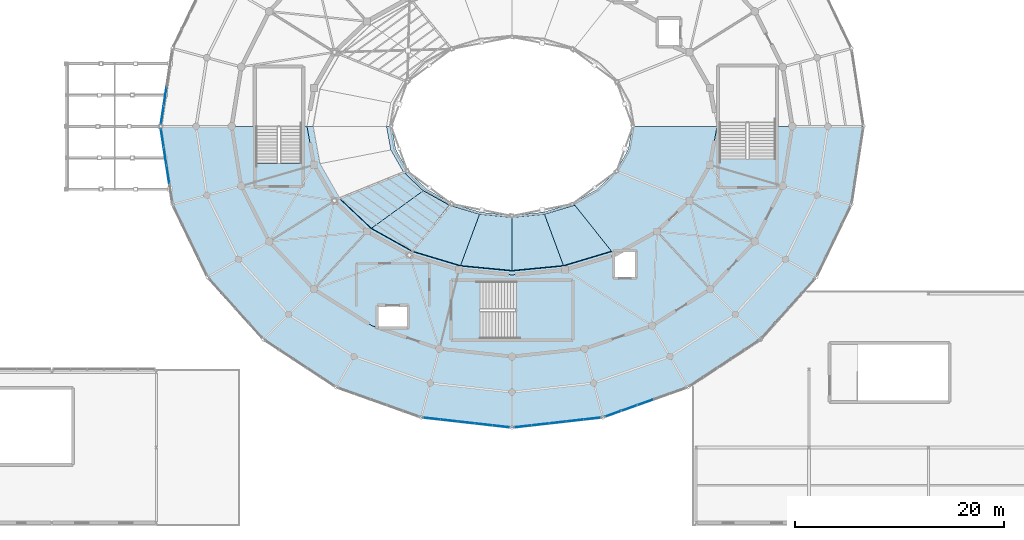
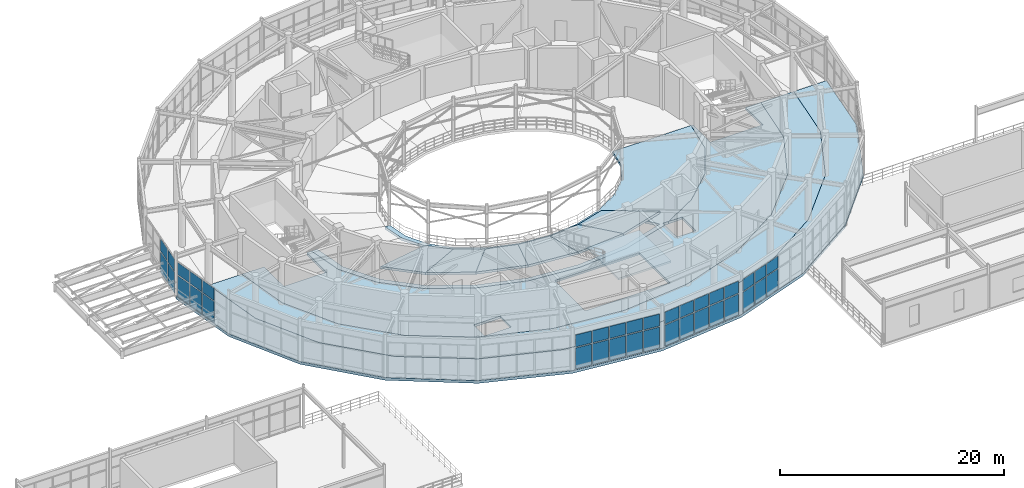
# One storey, part 83 of 144: 36 plates, 11 slabs, 6 elements without a shape of their own.
"""IFC4 building model written with IfcOpenShell, lengths in metres."""

from ifc_helpers import new_model, si_unit, direction, frame, origin, origin_2d, place, context, subcontext, project, spatial, polyline, rectangle, outline, extrude, material, layer, layer_set, type_object, element, aggregate, save


model = new_model("IFC4")

# Units and contexts
model_context = context("Model", 3, precision=1e-05, world=origin(), true_north=direction((0.0, 1.0)))
body_context = subcontext(model_context, "Body", "Model", "MODEL_VIEW")
ifc_project = project(units=[si_unit("LENGTHUNIT", "METRE"), si_unit("AREAUNIT", "SQUARE_METRE"), si_unit("VOLUMEUNIT", "CUBIC_METRE"), si_unit("PLANEANGLEUNIT", "RADIAN"), si_unit("MASSUNIT", "GRAM", prefix="KILO")], contexts=[model_context])

# Site, building, storey
site_placement = place(None, origin())
site = spatial("IfcSite", under=ifc_project, at=site_placement, CompositionType="ELEMENT")
building_placement = place(site_placement, origin())
building = spatial("IfcBuilding", under=site, at=building_placement, Name="Cinderbank Siding Concert Hall", CompositionType="ELEMENT")
storey_placement = place(building_placement, frame((0.0, 0.0, 5.39990234375)))
storey = spatial("IfcBuildingStorey", under=building, at=storey_placement, Name="L02", CompositionType="ELEMENT", Elevation=5.39990234375)

# Curtain wall, plates
ifc_material_1 = material(Name="Anodised aluminium alloy 6063-T6", Category="aluminium")
curtain_wall_type_1 = type_object("IfcCurtainWallType", Name="CW-06 Unitised Acoustic Curtain Wall 7600x3800", PredefinedType="NOTDEFINED", material=ifc_material_1)
curtain_wall_1_placement = place(storey_placement, origin())
curtain_wall_1 = element("IfcCurtainWall", 1, at=curtain_wall_1_placement, inside=storey, type_object=curtain_wall_type_1, Name="L02 Curtain Wall CW-06 #18", PredefinedType="NOTDEFINED")
ifc_material_2 = material(Name="Double-glazed laminated acoustic glass", Category="glass")
ifc_layer_1 = layer(ifc_material_2, 0.035888671875)
ifc_layer_set_1 = layer_set([ifc_layer_1], Name="Double-glazed laminated acoustic glass")
plate_type_1 = type_object("IfcPlateType", Name="CP-03 Glazed Curtain Panel 1600x2100", PredefinedType="CURTAIN_PANEL", material=ifc_layer_set_1)
plate_1_placement = place(storey_placement, frame((114.353759765625, 16.062744140625, 0.1201171875), z_axis=(0.0, 0.0, 1.0), x_axis=(0.993693605349, -0.112129472879, 0.0)))
plate_1 = element("IfcPlate", 2, at=plate_1_placement, type_object=plate_type_1, Name="CW-L02-018 Glazed Panel 0-0", PredefinedType="CURTAIN_PANEL", context=body_context, shape_type="SweptSolid", body=[
    extrude(rectangle(XDim=1.5595703125, YDim=0.035888671875, at=origin_2d()), origin(), (0.0, 0.0, 1.0), 2.26708984375),
])
plate_2_placement = place(storey_placement, frame((114.353759765625, 16.062744140625, 2.50732421875), z_axis=(0.0, 0.0, 1.0), x_axis=(0.993693605349, -0.112129472879, 0.0)))
plate_2 = element("IfcPlate", 3, at=plate_2_placement, type_object=plate_type_1, Name="CW-L02-018 Glazed Panel 0-1", PredefinedType="CURTAIN_PANEL", context=body_context, shape_type="SweptSolid", body=[
    extrude(rectangle(XDim=1.5595703125, YDim=0.035888671875, at=origin_2d()), origin(), (0.0, 0.0, 1.0), 1.31982421875),
])
plate_3_placement = place(storey_placement, frame((116.002685546875, 15.876708984375, 0.1201171875), z_axis=(0.0, 0.0, 1.0), x_axis=(0.993693605349, -0.112129472879, 0.0)))
plate_3 = element("IfcPlate", 4, at=plate_3_placement, type_object=plate_type_1, Name="CW-L02-018 Glazed Panel 1-0", PredefinedType="CURTAIN_PANEL", context=body_context, shape_type="SweptSolid", body=[
    extrude(rectangle(XDim=1.5595703125, YDim=0.035888671875, at=origin_2d()), origin(), (0.0, 0.0, 1.0), 2.26708984375),
])
plate_4_placement = place(storey_placement, frame((116.002685546875, 15.876708984375, 2.50732421875), z_axis=(0.0, 0.0, 1.0), x_axis=(0.993693605349, -0.112129472879, 0.0)))
plate_4 = element("IfcPlate", 5, at=plate_4_placement, type_object=plate_type_1, Name="CW-L02-018 Glazed Panel 1-1", PredefinedType="CURTAIN_PANEL", context=body_context, shape_type="SweptSolid", body=[
    extrude(rectangle(XDim=1.5595703125, YDim=0.035888671875, at=origin_2d()), origin(), (0.0, 0.0, 1.0), 1.31982421875),
])
plate_5_placement = place(storey_placement, frame((117.65185546875, 15.690673828125, 0.1201171875), z_axis=(0.0, 0.0, 1.0), x_axis=(0.993693605349, -0.112129472879, 0.0)))
plate_5 = element("IfcPlate", 6, at=plate_5_placement, type_object=plate_type_1, Name="CW-L02-018 Glazed Panel 2-0", PredefinedType="CURTAIN_PANEL", context=body_context, shape_type="SweptSolid", body=[
    extrude(rectangle(XDim=1.5595703125, YDim=0.035888671875, at=origin_2d()), origin(), (0.0, 0.0, 1.0), 2.26708984375),
])
plate_6_placement = place(storey_placement, frame((117.65185546875, 15.690673828125, 2.50732421875), z_axis=(0.0, 0.0, 1.0), x_axis=(0.993693605349, -0.112129472879, 0.0)))
plate_6 = element("IfcPlate", 7, at=plate_6_placement, type_object=plate_type_1, Name="CW-L02-018 Glazed Panel 2-1", PredefinedType="CURTAIN_PANEL", context=body_context, shape_type="SweptSolid", body=[
    extrude(rectangle(XDim=1.5595703125, YDim=0.035888671875, at=origin_2d()), origin(), (0.0, 0.0, 1.0), 1.31982421875),
])
plate_7_placement = place(storey_placement, frame((119.30078125, 15.504638671875, 0.1201171875), z_axis=(0.0, 0.0, 1.0), x_axis=(0.993693605349, -0.112129472879, 0.0)))
plate_7 = element("IfcPlate", 8, at=plate_7_placement, type_object=plate_type_1, Name="CW-L02-018 Glazed Panel 3-0", PredefinedType="CURTAIN_PANEL", context=body_context, shape_type="SweptSolid", body=[
    extrude(rectangle(XDim=1.5595703125, YDim=0.035888671875, at=origin_2d()), origin(), (0.0, 0.0, 1.0), 2.26708984375),
])
plate_8_placement = place(storey_placement, frame((119.30078125, 15.504638671875, 2.50732421875), z_axis=(0.0, 0.0, 1.0), x_axis=(0.993693605349, -0.112129472879, 0.0)))
plate_8 = element("IfcPlate", 9, at=plate_8_placement, type_object=plate_type_1, Name="CW-L02-018 Glazed Panel 3-1", PredefinedType="CURTAIN_PANEL", context=body_context, shape_type="SweptSolid", body=[
    extrude(rectangle(XDim=1.5595703125, YDim=0.035888671875, at=origin_2d()), origin(), (0.0, 0.0, 1.0), 1.31982421875),
])
plate_9_placement = place(storey_placement, frame((120.949951171875, 15.318603515625, 0.1201171875), z_axis=(0.0, 0.0, 1.0), x_axis=(0.993693605349, -0.112129472879, 0.0)))
plate_9 = element("IfcPlate", 10, at=plate_9_placement, type_object=plate_type_1, Name="CW-L02-018 Glazed Panel 4-0", PredefinedType="CURTAIN_PANEL", context=body_context, shape_type="SweptSolid", body=[
    extrude(rectangle(XDim=1.5595703125, YDim=0.035888671875, at=origin_2d()), origin(), (0.0, 0.0, 1.0), 2.26708984375),
])
plate_10_placement = place(storey_placement, frame((120.949951171875, 15.318603515625, 2.50732421875), z_axis=(0.0, 0.0, 1.0), x_axis=(0.993693605349, -0.112129472879, 0.0)))
plate_10 = element("IfcPlate", 11, at=plate_10_placement, type_object=plate_type_1, Name="CW-L02-018 Glazed Panel 4-1", PredefinedType="CURTAIN_PANEL", context=body_context, shape_type="SweptSolid", body=[
    extrude(rectangle(XDim=1.5595703125, YDim=0.035888671875, at=origin_2d()), origin(), (0.0, 0.0, 1.0), 1.31982421875),
])
aggregate(curtain_wall_1, [plate_1, plate_2, plate_3, plate_4, plate_5, plate_6, plate_7, plate_8, plate_9, plate_10])

curtain_wall_type_2 = type_object("IfcCurtainWallType", Name="CW-07 Unitised Acoustic Curtain Wall 7000x3800", PredefinedType="NOTDEFINED", material=ifc_material_1)
curtain_wall_2_placement = place(storey_placement, origin())
curtain_wall_2 = element("IfcCurtainWall", 12, at=curtain_wall_2_placement, inside=storey, type_object=curtain_wall_type_2, Name="L02 Curtain Wall CW-07 #19", PredefinedType="NOTDEFINED")
ifc_layer_2 = layer(ifc_material_2, 0.031982421875)
ifc_layer_set_2 = layer_set([ifc_layer_2], Name="Double-glazed laminated acoustic glass")
plate_type_2 = type_object("IfcPlateType", Name="CP-04 Glazed Curtain Panel 1400x2000", PredefinedType="CURTAIN_PANEL", material=ifc_layer_set_2)
plate_11_placement = place(storey_placement, frame((123.050048828125, 15.318603515625, 0.1201171875), z_axis=(0.0, 0.0, 1.0), x_axis=(0.993693605349, 0.112129472879, 0.0)))
plate_11 = element("IfcPlate", 13, at=plate_11_placement, type_object=plate_type_2, Name="CW-L02-019 Glazed Panel 0-0", PredefinedType="CURTAIN_PANEL", context=body_context, shape_type="SweptSolid", body=[
    extrude(rectangle(XDim=1.5595703125, YDim=0.035888671875, at=origin_2d()), origin(), (0.0, 0.0, 1.0), 2.26708984375),
])
plate_12_placement = place(storey_placement, frame((123.050048828125, 15.318603515625, 2.50732421875), z_axis=(0.0, 0.0, 1.0), x_axis=(0.993693605349, 0.112129472879, 0.0)))
plate_12 = element("IfcPlate", 14, at=plate_12_placement, type_object=plate_type_2, Name="CW-L02-019 Glazed Panel 0-1", PredefinedType="CURTAIN_PANEL", context=body_context, shape_type="SweptSolid", body=[
    extrude(rectangle(XDim=1.5595703125, YDim=0.035888671875, at=origin_2d()), origin(), (0.0, 0.0, 1.0), 1.31982421875),
])
plate_13_placement = place(storey_placement, frame((124.69921875, 15.504638671875, 0.1201171875), z_axis=(0.0, 0.0, 1.0), x_axis=(0.993693605349, 0.112129472879, 0.0)))
plate_13 = element("IfcPlate", 15, at=plate_13_placement, type_object=plate_type_2, Name="CW-L02-019 Glazed Panel 1-0", PredefinedType="CURTAIN_PANEL", context=body_context, shape_type="SweptSolid", body=[
    extrude(rectangle(XDim=1.5595703125, YDim=0.035888671875, at=origin_2d()), origin(), (0.0, 0.0, 1.0), 2.26708984375),
])
plate_14_placement = place(storey_placement, frame((124.69921875, 15.504638671875, 2.50732421875), z_axis=(0.0, 0.0, 1.0), x_axis=(0.993693605349, 0.112129472879, 0.0)))
plate_14 = element("IfcPlate", 16, at=plate_14_placement, type_object=plate_type_2, Name="CW-L02-019 Glazed Panel 1-1", PredefinedType="CURTAIN_PANEL", context=body_context, shape_type="SweptSolid", body=[
    extrude(rectangle(XDim=1.5595703125, YDim=0.035888671875, at=origin_2d()), origin(), (0.0, 0.0, 1.0), 1.31982421875),
])
plate_15_placement = place(storey_placement, frame((126.34814453125, 15.690673828125, 0.1201171875), z_axis=(0.0, 0.0, 1.0), x_axis=(0.993693605349, 0.112129472879, 0.0)))
plate_15 = element("IfcPlate", 17, at=plate_15_placement, type_object=plate_type_2, Name="CW-L02-019 Glazed Panel 2-0", PredefinedType="CURTAIN_PANEL", context=body_context, shape_type="SweptSolid", body=[
    extrude(rectangle(XDim=1.5595703125, YDim=0.035888671875, at=origin_2d()), origin(), (0.0, 0.0, 1.0), 2.26708984375),
])
plate_16_placement = place(storey_placement, frame((126.34814453125, 15.690673828125, 2.50732421875), z_axis=(0.0, 0.0, 1.0), x_axis=(0.993693605349, 0.112129472879, 0.0)))
plate_16 = element("IfcPlate", 18, at=plate_16_placement, type_object=plate_type_2, Name="CW-L02-019 Glazed Panel 2-1", PredefinedType="CURTAIN_PANEL", context=body_context, shape_type="SweptSolid", body=[
    extrude(rectangle(XDim=1.5595703125, YDim=0.035888671875, at=origin_2d()), origin(), (0.0, 0.0, 1.0), 1.31982421875),
])
plate_17_placement = place(storey_placement, frame((127.997314453125, 15.876708984375, 0.1201171875), z_axis=(0.0, 0.0, 1.0), x_axis=(0.993693605349, 0.112129472879, 0.0)))
plate_17 = element("IfcPlate", 19, at=plate_17_placement, type_object=plate_type_2, Name="CW-L02-019 Glazed Panel 3-0", PredefinedType="CURTAIN_PANEL", context=body_context, shape_type="SweptSolid", body=[
    extrude(rectangle(XDim=1.5595703125, YDim=0.035888671875, at=origin_2d()), origin(), (0.0, 0.0, 1.0), 2.26708984375),
])
plate_18_placement = place(storey_placement, frame((127.997314453125, 15.876708984375, 2.50732421875), z_axis=(0.0, 0.0, 1.0), x_axis=(0.993693605349, 0.112129472879, 0.0)))
plate_18 = element("IfcPlate", 20, at=plate_18_placement, type_object=plate_type_2, Name="CW-L02-019 Glazed Panel 3-1", PredefinedType="CURTAIN_PANEL", context=body_context, shape_type="SweptSolid", body=[
    extrude(rectangle(XDim=1.5595703125, YDim=0.035888671875, at=origin_2d()), origin(), (0.0, 0.0, 1.0), 1.31982421875),
])
plate_19_placement = place(storey_placement, frame((129.646240234375, 16.062744140625, 0.1201171875), z_axis=(0.0, 0.0, 1.0), x_axis=(0.993693605349, 0.112129472879, 0.0)))
plate_19 = element("IfcPlate", 21, at=plate_19_placement, type_object=plate_type_2, Name="CW-L02-019 Glazed Panel 4-0", PredefinedType="CURTAIN_PANEL", context=body_context, shape_type="SweptSolid", body=[
    extrude(rectangle(XDim=1.5595703125, YDim=0.035888671875, at=origin_2d()), origin(), (0.0, 0.0, 1.0), 2.26708984375),
])
plate_20_placement = place(storey_placement, frame((129.646240234375, 16.062744140625, 2.50732421875), z_axis=(0.0, 0.0, 1.0), x_axis=(0.993693605349, 0.112129472879, 0.0)))
plate_20 = element("IfcPlate", 22, at=plate_20_placement, type_object=plate_type_2, Name="CW-L02-019 Glazed Panel 4-1", PredefinedType="CURTAIN_PANEL", context=body_context, shape_type="SweptSolid", body=[
    extrude(rectangle(XDim=1.5595703125, YDim=0.035888671875, at=origin_2d()), origin(), (0.0, 0.0, 1.0), 1.31982421875),
])
aggregate(curtain_wall_2, [plate_11, plate_12, plate_13, plate_14, plate_15, plate_16, plate_17, plate_18, plate_19, plate_20])

curtain_wall_type_3 = type_object("IfcCurtainWallType", Name="CW-12 Unitised Acoustic Curtain Wall 5800x3500", PredefinedType="NOTDEFINED", material=ifc_material_1)
curtain_wall_3_placement = place(storey_placement, origin())
curtain_wall_3 = element("IfcCurtainWall", 23, at=curtain_wall_3_placement, inside=storey, type_object=curtain_wall_type_3, Name="L02 Curtain Wall CW-12 #12", PredefinedType="NOTDEFINED")
ifc_layer_3 = layer(ifc_material_2, 0.031982421875)
ifc_layer_set_3 = layer_set([ifc_layer_3], Name="Double-glazed laminated acoustic glass")
plate_type_3 = type_object("IfcPlateType", Name="CP-05 Glazed Curtain Panel 1200x1800", PredefinedType="CURTAIN_PANEL", material=ifc_layer_set_3)
plate_21_placement = place(storey_placement, frame((88.837890625, 46.851318359375, 0.1201171875), z_axis=(0.0, 0.0, 1.0), x_axis=(-0.151815048473, -0.988408918949, 0.0)))
plate_21 = element("IfcPlate", 24, at=plate_21_placement, type_object=plate_type_3, Name="CW-L02-012 Glazed Panel 2-0", PredefinedType="CURTAIN_PANEL", context=body_context, shape_type="SweptSolid", body=[
    extrude(rectangle(XDim=1.671875, YDim=0.035888671875, at=origin_2d()), origin(), (0.0, 0.0, 1.0), 2.26708984375),
])
plate_22_placement = place(storey_placement, frame((88.837890625, 46.851318359375, 2.50732421875), z_axis=(0.0, 0.0, 1.0), x_axis=(-0.151815048473, -0.988408918949, 0.0)))
plate_22 = element("IfcPlate", 25, at=plate_22_placement, type_object=plate_type_3, Name="CW-L02-012 Glazed Panel 2-1", PredefinedType="CURTAIN_PANEL", context=body_context, shape_type="SweptSolid", body=[
    extrude(rectangle(XDim=1.671875, YDim=0.035888671875, at=origin_2d()), origin(), (0.0, 0.0, 1.0), 1.31982421875),
])
plate_23_placement = place(storey_placement, frame((88.569091796875, 45.10009765625, 0.1201171875), z_axis=(0.0, 0.0, 1.0), x_axis=(-0.151815048473, -0.988408918949, 0.0)))
plate_23 = element("IfcPlate", 26, at=plate_23_placement, type_object=plate_type_3, Name="CW-L02-012 Glazed Panel 3-0", PredefinedType="CURTAIN_PANEL", context=body_context, shape_type="SweptSolid", body=[
    extrude(rectangle(XDim=1.671875, YDim=0.035888671875, at=origin_2d()), origin(), (0.0, 0.0, 1.0), 2.26708984375),
])
plate_24_placement = place(storey_placement, frame((88.569091796875, 45.10009765625, 2.50732421875), z_axis=(0.0, 0.0, 1.0), x_axis=(-0.151815048473, -0.988408918949, 0.0)))
plate_24 = element("IfcPlate", 27, at=plate_24_placement, type_object=plate_type_3, Name="CW-L02-012 Glazed Panel 3-1", PredefinedType="CURTAIN_PANEL", context=body_context, shape_type="SweptSolid", body=[
    extrude(rectangle(XDim=1.671875, YDim=0.035888671875, at=origin_2d()), origin(), (0.0, 0.0, 1.0), 1.31982421875),
])
aggregate(curtain_wall_3, [plate_21, plate_22, plate_23, plate_24])

curtain_wall_type_4 = type_object("IfcCurtainWallType", Name="CW-08 Unitised Acoustic Curtain Wall 6400x3800", PredefinedType="NOTDEFINED", material=ifc_material_1)
curtain_wall_4_placement = place(storey_placement, origin())
curtain_wall_4 = element("IfcCurtainWall", 28, at=curtain_wall_4_placement, inside=storey, type_object=curtain_wall_type_4, Name="L02 Curtain Wall CW-08 #20", PredefinedType="NOTDEFINED")
plate_25_placement = place(storey_placement, frame((131.677734375, 16.52978515625, 0.1201171875), z_axis=(0.0, 0.0, 1.0), x_axis=(0.942365662238, 0.334584755532, 0.0)))
plate_25 = element("IfcPlate", 29, at=plate_25_placement, type_object=plate_type_3, Name="CW-L02-020 Glazed Panel 0-0", PredefinedType="CURTAIN_PANEL", context=body_context, shape_type="SweptSolid", body=[
    extrude(rectangle(XDim=1.529052734375, YDim=0.035888671875, at=origin_2d()), origin(), (0.0, 0.0, 1.0), 2.198974609375),
])
plate_26_placement = place(storey_placement, frame((131.677734375, 16.52978515625, 2.43896484375), z_axis=(0.0, 0.0, 1.0), x_axis=(0.942365662238, 0.334584755532, 0.0)))
plate_26 = element("IfcPlate", 30, at=plate_26_placement, type_object=plate_type_3, Name="CW-L02-020 Glazed Panel 0-1", PredefinedType="CURTAIN_PANEL", context=body_context, shape_type="SweptSolid", body=[
    extrude(rectangle(XDim=1.529052734375, YDim=0.035888671875, at=origin_2d()), origin(), (0.0, 0.0, 1.0), 1.278076171875),
])
plate_27_placement = place(storey_placement, frame((133.212890625, 17.07470703125, 0.1201171875), z_axis=(0.0, 0.0, 1.0), x_axis=(0.942365662238, 0.334584755532, 0.0)))
plate_27 = element("IfcPlate", 31, at=plate_27_placement, type_object=plate_type_3, Name="CW-L02-020 Glazed Panel 1-0", PredefinedType="CURTAIN_PANEL", context=body_context, shape_type="SweptSolid", body=[
    extrude(rectangle(XDim=1.529052734375, YDim=0.035888671875, at=origin_2d()), origin(), (0.0, 0.0, 1.0), 2.198974609375),
])
plate_28_placement = place(storey_placement, frame((133.212890625, 17.07470703125, 2.43896484375), z_axis=(0.0, 0.0, 1.0), x_axis=(0.942365662238, 0.334584755532, 0.0)))
plate_28 = element("IfcPlate", 32, at=plate_28_placement, type_object=plate_type_3, Name="CW-L02-020 Glazed Panel 1-1", PredefinedType="CURTAIN_PANEL", context=body_context, shape_type="SweptSolid", body=[
    extrude(rectangle(XDim=1.529052734375, YDim=0.035888671875, at=origin_2d()), origin(), (0.0, 0.0, 1.0), 1.278076171875),
])
plate_29_placement = place(storey_placement, frame((134.748291015625, 17.619873046875, 0.1201171875), z_axis=(0.0, 0.0, 1.0), x_axis=(0.942365662238, 0.334584755532, 0.0)))
plate_29 = element("IfcPlate", 33, at=plate_29_placement, type_object=plate_type_3, Name="CW-L02-020 Glazed Panel 2-0", PredefinedType="CURTAIN_PANEL", context=body_context, shape_type="SweptSolid", body=[
    extrude(rectangle(XDim=1.529052734375, YDim=0.035888671875, at=origin_2d()), origin(), (0.0, 0.0, 1.0), 2.198974609375),
])
plate_30_placement = place(storey_placement, frame((134.748291015625, 17.619873046875, 2.43896484375), z_axis=(0.0, 0.0, 1.0), x_axis=(0.942365662238, 0.334584755532, 0.0)))
plate_30 = element("IfcPlate", 34, at=plate_30_placement, type_object=plate_type_3, Name="CW-L02-020 Glazed Panel 2-1", PredefinedType="CURTAIN_PANEL", context=body_context, shape_type="SweptSolid", body=[
    extrude(rectangle(XDim=1.529052734375, YDim=0.035888671875, at=origin_2d()), origin(), (0.0, 0.0, 1.0), 1.278076171875),
])
aggregate(curtain_wall_4, [plate_25, plate_26, plate_27, plate_28, plate_29, plate_30])

curtain_wall_type_5 = type_object("IfcCurtainWallType", Name="CW-01 Unitised Acoustic Curtain Wall 8200x4400", PredefinedType="NOTDEFINED", material=ifc_material_1)
curtain_wall_5_placement = place(storey_placement, origin())
curtain_wall_5 = element("IfcCurtainWall", 35, at=curtain_wall_5_placement, inside=storey, type_object=curtain_wall_type_5, Name="L02 Curtain Wall CW-01 #13", PredefinedType="NOTDEFINED")
ifc_layer_4 = layer(ifc_material_2, 0.0380859375)
ifc_layer_set_4 = layer_set([ifc_layer_4], Name="Double-glazed laminated acoustic glass")
plate_type_4 = type_object("IfcPlateType", Name="CP-06 Glazed Curtain Panel 2100x1600", PredefinedType="CURTAIN_PANEL", material=ifc_layer_set_4)
plate_31_placement = place(storey_placement, frame((88.569091796875, 42.89990234375, 0.1201171875), z_axis=(0.0, 0.0, 1.0), x_axis=(0.151815048473, -0.988408918949, 0.0)))
plate_31 = element("IfcPlate", 36, at=plate_31_placement, type_object=plate_type_4, Name="CW-L02-013 Glazed Panel 0-0", PredefinedType="CURTAIN_PANEL", context=body_context, shape_type="SweptSolid", body=[
    extrude(rectangle(XDim=1.671875, YDim=0.035888671875, at=origin_2d()), origin(), (0.0, 0.0, 1.0), 2.26708984375),
])
plate_32_placement = place(storey_placement, frame((88.569091796875, 42.89990234375, 2.50732421875), z_axis=(0.0, 0.0, 1.0), x_axis=(0.151815048473, -0.988408918949, 0.0)))
plate_32 = element("IfcPlate", 37, at=plate_32_placement, type_object=plate_type_4, Name="CW-L02-013 Glazed Panel 0-1", PredefinedType="CURTAIN_PANEL", context=body_context, shape_type="SweptSolid", body=[
    extrude(rectangle(XDim=1.671875, YDim=0.035888671875, at=origin_2d()), origin(), (0.0, 0.0, 1.0), 1.31982421875),
])
plate_33_placement = place(storey_placement, frame((88.837890625, 41.148681640625, 0.1201171875), z_axis=(0.0, 0.0, 1.0), x_axis=(0.151815048473, -0.988408918949, 0.0)))
plate_33 = element("IfcPlate", 38, at=plate_33_placement, type_object=plate_type_4, Name="CW-L02-013 Glazed Panel 1-0", PredefinedType="CURTAIN_PANEL", context=body_context, shape_type="SweptSolid", body=[
    extrude(rectangle(XDim=1.671875, YDim=0.035888671875, at=origin_2d()), origin(), (0.0, 0.0, 1.0), 2.26708984375),
])
plate_34_placement = place(storey_placement, frame((88.837890625, 41.148681640625, 2.50732421875), z_axis=(0.0, 0.0, 1.0), x_axis=(0.151815048473, -0.988408918949, 0.0)))
plate_34 = element("IfcPlate", 39, at=plate_34_placement, type_object=plate_type_4, Name="CW-L02-013 Glazed Panel 1-1", PredefinedType="CURTAIN_PANEL", context=body_context, shape_type="SweptSolid", body=[
    extrude(rectangle(XDim=1.671875, YDim=0.035888671875, at=origin_2d()), origin(), (0.0, 0.0, 1.0), 1.31982421875),
])
plate_35_placement = place(storey_placement, frame((89.10693359375, 39.397216796875, 0.1201171875), z_axis=(0.0, 0.0, 1.0), x_axis=(0.151815048473, -0.988408918949, 0.0)))
plate_35 = element("IfcPlate", 40, at=plate_35_placement, type_object=plate_type_4, Name="CW-L02-013 Glazed Panel 2-0", PredefinedType="CURTAIN_PANEL", context=body_context, shape_type="SweptSolid", body=[
    extrude(rectangle(XDim=1.671875, YDim=0.035888671875, at=origin_2d()), origin(), (0.0, 0.0, 1.0), 2.26708984375),
])
plate_36_placement = place(storey_placement, frame((89.10693359375, 39.397216796875, 2.50732421875), z_axis=(0.0, 0.0, 1.0), x_axis=(0.151815048473, -0.988408918949, 0.0)))
plate_36 = element("IfcPlate", 41, at=plate_36_placement, type_object=plate_type_4, Name="CW-L02-013 Glazed Panel 2-1", PredefinedType="CURTAIN_PANEL", context=body_context, shape_type="SweptSolid", body=[
    extrude(rectangle(XDim=1.671875, YDim=0.035888671875, at=origin_2d()), origin(), (0.0, 0.0, 1.0), 1.31982421875),
])
aggregate(curtain_wall_5, [plate_31, plate_32, plate_33, plate_34, plate_35, plate_36])

# Stair, slab
ifc_material_3 = material(Name="Reinforced concrete AS 3600 N50 (50 MPa)", Category="concrete")
stair_type = type_object("IfcStairType", Name="STR-A Dogleg Exit Stair 2650mm", PredefinedType="HALF_TURN_STAIR", material=ifc_material_3)
stair_placement = place(storey_placement, origin())
stair = element("IfcStair", 42, at=stair_placement, inside=storey, type_object=stair_type, Name="L02 Fire-isolated Exit Stair ST-02", PredefinedType="HALF_TURN_STAIR")
ifc_layer_5 = layer(ifc_material_3, 0.199951171875)
ifc_layer_set_5 = layer_set([ifc_layer_5], Name="Reinforced concrete AS 3600 N50 (50 MPa)")
slab_type_1 = type_object("IfcSlabType", Name="LD-02 Slab 200mm", PredefinedType="LANDING", material=ifc_layer_set_5)
slab_1_placement = place(storey_placement, frame((0.0, 0.0, 2.2001953125)))
slab_1 = element("IfcSlab", 43, at=slab_1_placement, type_object=slab_type_1, Name="ST-02 landing 1", PredefinedType="LANDING", context=body_context, shape_type="SweptSolid", body=[
    extrude(outline(polyline([(122.35009765625, 23.6201171875), (122.35009765625, 29.239990234375), (127.780029296875, 29.239990234375), (127.780029296875, 23.6201171875), (122.35009765625, 23.6201171875)])), origin(), (0.0, 0.0, 1.0), 0.199951171875),
])
aggregate(stair, [slab_1])

# Slabs
ifc_layer_6 = layer(ifc_material_3, 0.280029296875)
ifc_layer_set_6 = layer_set([ifc_layer_6], Name="Reinforced concrete AS 3600 N50 (50 MPa)")
slab_type_2 = type_object("IfcSlabType", Name="SL-02 Slab 280mm", PredefinedType="FLOOR", material=ifc_layer_set_6)
slab_2_placement = place(storey_placement, frame((0.0, 0.0, -0.27978515625)))
element("IfcSlab", 44, at=slab_2_placement, inside=storey, type_object=slab_type_2, Name="L02 Dress Circle Structural Ring South", PredefinedType="FLOOR", context=body_context, shape_type="SweptSolid", body=[
    extrude(outline(polyline([(132.389404296875, 32.030029296875), (131.820068359375, 32.030029296875), (131.800048828125, 31.702392578125), (127.072998046875, 30.283935546875), (122.0, 29.800048828125), (116.927001953125, 30.283935546875), (112.199951171875, 31.702392578125), (108.140625, 33.958984375), (105.02587890625, 36.89990234375), (103.06787109375, 40.32470703125), (102.401123046875, 43.993896484375), (102.9990234375, 43.993896484375), (103.644287109375, 40.438720703125), (105.5419921875, 37.117919921875), (108.561279296875, 34.266357421875), (112.50048828125, 32.076416015625), (117.07958984375, 30.701904296875), (121.998046875, 30.232421875), (126.92041015625, 30.701904296875), (131.50341796875, 32.077880859375), (128.000732421875, 36.47314453125), (125.10546875, 35.6044921875), (122.0, 35.30810546875), (118.89453125, 35.6044921875), (116.000732421875, 36.472900390625), (113.515869140625, 37.85400390625), (111.609375, 39.654296875), (110.410888671875, 41.75048828125), (110.003173828125, 43.993896484375), (110.501220703125, 43.993896484375), (110.891845703125, 41.800048828125), (112.040771484375, 39.75), (113.868408203125, 37.989501953125), (116.25, 36.638916015625), (119.023681640625, 35.78955078125), (122.0, 35.5), (124.976318359375, 35.78955078125), (127.75, 36.638916015625), (130.131591796875, 37.989501953125), (131.959228515625, 39.75), (133.108154296875, 41.800048828125), (133.498779296875, 43.993896484375), (141.598876953125, 43.993896484375), (140.93212890625, 40.32470703125), (138.97412109375, 36.89990234375), (135.859375, 33.958984375), (132.389404296875, 32.030029296875)])), origin(), (0.0, 0.0, 1.0), 0.27978515625),
])
slab_3_placement = place(storey_placement, frame((0.0, 0.0, -0.27978515625)))
element("IfcSlab", 45, at=slab_3_placement, inside=storey, type_object=slab_type_2, Name="L02 Dress Circle Inner Foyer South", PredefinedType="FLOOR", context=body_context, shape_type="SweptSolid", body=[
    extrude(outline(polyline([(148.154052734375, 31.300048828125), (143.3544921875, 26.03955078125), (137.10009765625, 22.0029296875), (129.81640625, 19.465576171875), (122.0, 18.60009765625), (114.18359375, 19.465576171875), (106.89990234375, 22.0029296875), (100.6455078125, 26.03955078125), (95.845947265625, 31.300048828125), (92.8291015625, 37.426025390625), (91.80078125, 43.993896484375), (95.200927734375, 43.993896484375), (96.11328125, 38.305908203125), (98.79052734375, 33.0), (103.049560546875, 28.443603515625), (108.60009765625, 24.947509765625), (115.063720703125, 22.74951171875), (122.0, 22.0), (128.936279296875, 22.74951171875), (135.39990234375, 24.947509765625), (140.950439453125, 28.443603515625), (145.20947265625, 33.0), (147.88671875, 38.305908203125), (148.799072265625, 43.993896484375), (152.19921875, 43.993896484375), (151.1708984375, 37.426025390625), (148.154052734375, 31.300048828125)])), origin(), (0.0, 0.0, 1.0), 0.27978515625),
])
ifc_layer_7 = layer(ifc_material_3, 0.260009765625)
ifc_layer_set_7 = layer_set([ifc_layer_7], Name="Reinforced concrete AS 3600 N50 (50 MPa)")
slab_type_3 = type_object("IfcSlabType", Name="SL-03 Slab 260mm", PredefinedType="FLOOR", material=ifc_layer_set_7)
slab_4_placement = place(storey_placement, frame((0.0, 0.0, -0.260009765625)))
element("IfcSlab", 46, at=slab_4_placement, inside=storey, type_object=slab_type_3, Name="L02 Acoustic Lock Ring South", PredefinedType="FLOOR", context=body_context, shape_type="SweptSolid", body=[
    extrude(outline(polyline([(122.0, 22.0), (115.063720703125, 22.74951171875), (108.60009765625, 24.947509765625), (103.049560546875, 28.443603515625), (98.79052734375, 33.0), (96.11328125, 38.305908203125), (95.200927734375, 43.993896484375), (97.52001953125, 43.993896484375), (97.52001953125, 40.47998046875), (101.919921875, 40.47998046875), (101.919921875, 43.993896484375), (102.401123046875, 43.993896484375), (103.06787109375, 40.32470703125), (105.02587890625, 36.89990234375), (108.140625, 33.958984375), (112.199951171875, 31.702392578125), (116.927001953125, 30.283935546875), (122.0, 29.800048828125), (127.072998046875, 30.283935546875), (131.820068359375, 31.71337890625), (131.820068359375, 29.570068359375), (133.780029296875, 29.570068359375), (133.780029296875, 32.030029296875), (132.389404296875, 32.030029296875), (135.859375, 33.958984375), (138.97412109375, 36.89990234375), (140.93212890625, 40.32470703125), (141.598876953125, 43.993896484375), (141.820068359375, 43.993896484375), (141.820068359375, 40.8798828125), (147.219970703125, 40.8798828125), (147.219970703125, 43.993896484375), (148.799072265625, 43.993896484375), (147.88671875, 38.305908203125), (145.20947265625, 33.0), (140.950439453125, 28.443603515625), (135.39990234375, 24.947509765625), (128.936279296875, 22.74951171875), (122.0, 22.0)]), holes=[polyline([(118.949951171875, 23.699951171875), (127.699951171875, 23.699951171875), (127.699951171875, 29.159912109375), (118.949951171875, 29.159912109375), (118.949951171875, 23.699951171875)]), polyline([(111.97998046875, 24.820068359375), (111.97998046875, 26.780029296875), (109.219970703125, 26.780029296875), (109.219970703125, 24.820068359375), (111.97998046875, 24.820068359375)])]), origin(), (0.0, 0.0, 1.0), 0.260009765625),
])
ifc_layer_8 = layer(ifc_material_3, 0.300048828125)
ifc_layer_set_8 = layer_set([ifc_layer_8], Name="Reinforced concrete AS 3600 N50 (50 MPa)")
slab_type_4 = type_object("IfcSlabType", Name="SL-05 Slab 300mm", PredefinedType="FLOOR", material=ifc_layer_set_8)
slab_5_placement = place(storey_placement, frame((0.0, 0.0, -0.2998046875)))
element("IfcSlab", 47, at=slab_5_placement, inside=storey, type_object=slab_type_4, Name="L02 Dress Circle Outer Foyer South", PredefinedType="FLOOR", context=body_context, shape_type="SweptSolid", body=[
    extrude(outline(polyline([(151.098388671875, 29.60009765625), (145.7587890625, 23.63525390625), (138.800048828125, 19.05859375), (130.6962890625, 16.181396484375), (122.0, 15.199951171875), (113.3037109375, 16.181396484375), (105.199951171875, 19.05859375), (98.2412109375, 23.63525390625), (92.901611328125, 29.60009765625), (89.544921875, 36.5458984375), (88.40087890625, 43.993896484375), (91.80078125, 43.993896484375), (92.8291015625, 37.426025390625), (95.845947265625, 31.300048828125), (100.6455078125, 26.03955078125), (106.89990234375, 22.0029296875), (114.18359375, 19.465576171875), (122.0, 18.60009765625), (129.81640625, 19.465576171875), (137.10009765625, 22.0029296875), (143.3544921875, 26.03955078125), (148.154052734375, 31.300048828125), (151.1708984375, 37.426025390625), (152.19921875, 43.993896484375), (155.59912109375, 43.993896484375), (154.455078125, 36.5458984375), (151.098388671875, 29.60009765625)])), origin(), (0.0, 0.0, 1.0), 0.2998046875),
])
ifc_material_4 = material(Name="Precast concrete AS 3600 N50 (50 MPa)", Category="concrete")
ifc_layer_9 = layer(ifc_material_4, 0.219970703125)
ifc_layer_set_9 = layer_set([ifc_layer_9], Name="Precast concrete AS 3600 N50 (50 MPa)")
slab_type_5 = type_object("IfcSlabType", Name="ST-TIER2 Slab 220mm", PredefinedType="USERDEFINED", material=ifc_layer_set_9)
slab_6_placement = place(storey_placement, frame((111.607666015625, 39.653076171875, 0.050048828125), z_axis=(0.150571856298, 0.159487139165, 0.975649511111), x_axis=(0.727110077026, -0.686520892474, 9.162191e-06)))
element("IfcSlab", 48, at=slab_6_placement, inside=storey, type_object=slab_type_5, Name="Stand Main Concert Hall Dress Circle Tier Bay 15", ObjectType="SEATING TIER", PredefinedType="USERDEFINED", context=body_context, shape_type="SweptSolid", body=[
    extrude(outline(polyline([(0.0, 0.0), (2.622692478917442, 0.0), (1.4855440008770995, -6.155339508817333), (-2.6669744007791514, -6.155622526362731), (0.0, 0.0)])), origin(), (0.0, 0.0, -1.0), 0.219970703125),
])
slab_7_placement = place(storey_placement, frame((113.5146484375, 37.8525390625, 0.050048828125), z_axis=(0.115059652122, 0.20696571351, 0.971558783546), x_axis=(0.8740308281, -0.485870467797, -7.364438e-06)))
element("IfcSlab", 49, at=slab_7_placement, inside=storey, type_object=slab_type_5, Name="Stand Main Concert Hall Dress Circle Tier Bay 16", ObjectType="SEATING TIER", PredefinedType="USERDEFINED", context=body_context, shape_type="SweptSolid", body=[
    extrude(outline(polyline([(0.0, 0.0), (2.8435485369426883, -2.220446049250313e-16), (1.9184174428728706, -5.701521668406098), (-2.583905347468542, -5.701293211665454), (0.0, 0.0)])), origin(), (0.0, 0.0, -1.0), 0.219970703125),
])
slab_8_placement = place(storey_placement, frame((116.0, 36.470947265625, 0.050048828125), z_axis=(0.072070662465, 0.2401440581, 0.968058185736), x_axis=(0.957793127099, -0.287458389467, 2.726083e-06)))
element("IfcSlab", 50, at=slab_8_placement, inside=storey, type_object=slab_type_5, Name="Stand Main Concert Hall Dress Circle Tier Bay 17", ObjectType="SEATING TIER", PredefinedType="USERDEFINED", context=body_context, shape_type="SweptSolid", body=[
    extrude(outline(polyline([(0.0, 0.0), (3.021829704951, 0.0), (2.694701986123984, -5.384731628433838), (-2.0897291914910547, -5.384816504129122), (0.0, 0.0)])), origin(), (0.0, 0.0, -1.0), 0.219970703125),
])
slab_9_placement = place(storey_placement, frame((118.894287109375, 35.602294921875, 0.050048828125), z_axis=(0.024525725512, 0.257175787333, 0.96605336457), x_axis=(0.995484491023, -0.094924328411, -2.836781e-06)))
element("IfcSlab", 51, at=slab_9_placement, inside=storey, type_object=slab_type_5, Name="Stand Main Concert Hall Dress Circle Tier Bay 18", ObjectType="SEATING TIER", PredefinedType="USERDEFINED", context=body_context, shape_type="SweptSolid", body=[
    extrude(outline(polyline([(0.0, 0.0), (3.1198001515303653, -5.551115123125783e-17), (3.60120820491711, -5.226036643371488), (-1.338586290460419, -5.225948143414802), (0.0, 0.0)])), origin(), (0.0, 0.0, -1.0), 0.219970703125),
])
slab_10_placement = place(storey_placement, frame((122.0, 35.30615234375, 0.050048828125), z_axis=(-0.024525725512, 0.257175787333, 0.96605336457), x_axis=(0.995484491023, 0.094924328411, 2.836781e-06)))
element("IfcSlab", 52, at=slab_10_placement, inside=storey, type_object=slab_type_5, Name="Stand Main Concert Hall Dress Circle Tier Bay 19", ObjectType="SEATING TIER", PredefinedType="USERDEFINED", context=body_context, shape_type="SweptSolid", body=[
    extrude(outline(polyline([(0.0, 0.0), (3.1198001515303653, 5.551115123125783e-17), (4.458386441990784, -5.225948143414801), (-0.48140805338674475, -5.226036643371488), (0.0, 0.0)])), origin(), (0.0, 0.0, -1.0), 0.219970703125),
])
slab_11_placement = place(storey_placement, frame((125.105712890625, 35.602294921875, 0.050048828125), z_axis=(-0.072070662465, 0.2401440581, 0.968058185736), x_axis=(0.957793127099, 0.287458389467, -2.726083e-06)))
element("IfcSlab", 53, at=slab_11_placement, inside=storey, type_object=slab_type_5, Name="Stand Main Concert Hall Dress Circle Tier Bay 20", ObjectType="SEATING TIER", PredefinedType="USERDEFINED", context=body_context, shape_type="SweptSolid", body=[
    extrude(outline(polyline([(0.0, 0.0), (3.021829704951, 0.0), (5.111558896442055, -5.384816504129121), (0.3271277188270163, -5.384731628433839), (0.0, 0.0)])), origin(), (0.0, 0.0, -1.0), 0.219970703125),
])

save(model, "model.ifc")
